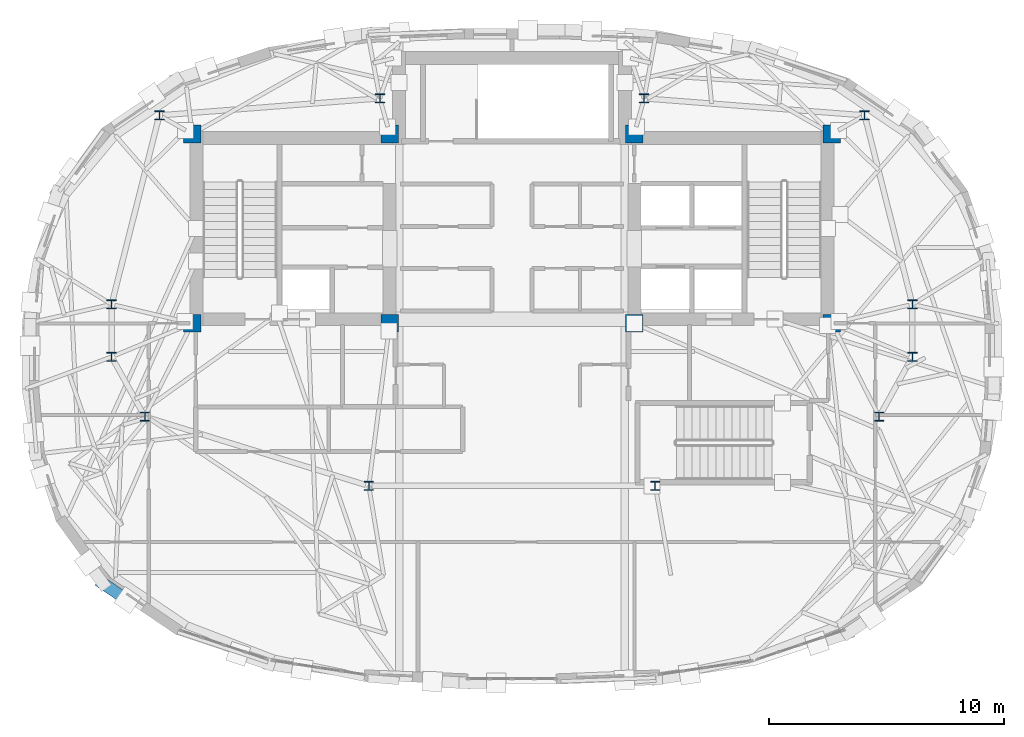
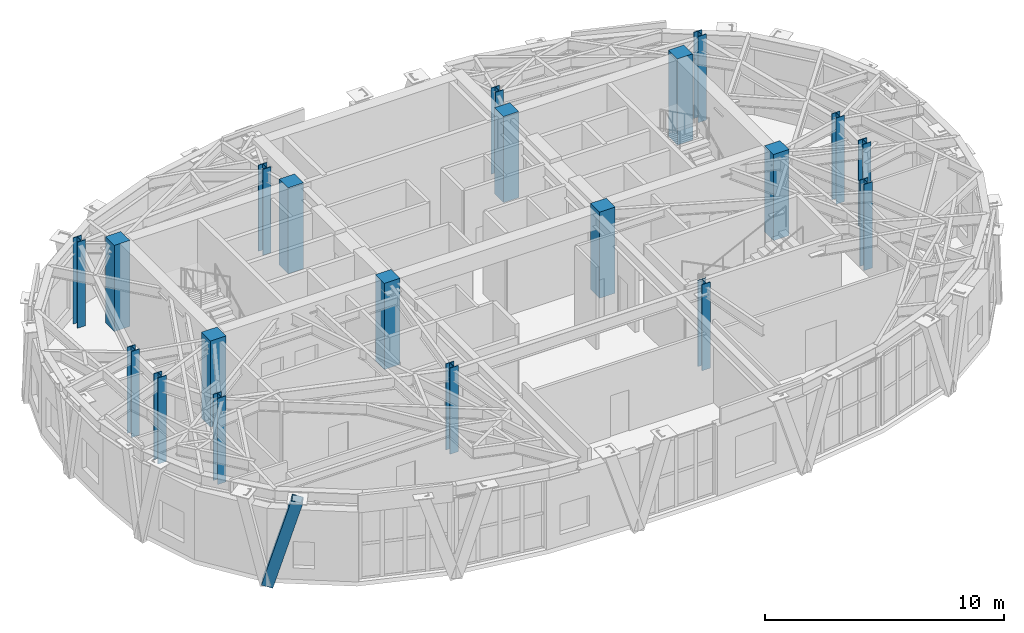
# One storey, part 1 of 16: 20 columns, 1 member.
"""IFC4 building model written with IfcOpenShell, lengths in metres."""

from ifc_helpers import new_model, si_unit, direction, frame, origin, origin_2d, place, context, subcontext, project, spatial, rectangle, hollow_rectangle, i_section, extrude, material, material_profile, profile_set, type_object, element, save


model = new_model("IFC4")

# Units and contexts
model_context = context("Model", 3, precision=1e-05, world=origin(), true_north=direction((0.0, 1.0)))
body_context = subcontext(model_context, "Body", "Model", "MODEL_VIEW")
ifc_project = project(units=[si_unit("LENGTHUNIT", "METRE"), si_unit("AREAUNIT", "SQUARE_METRE"), si_unit("VOLUMEUNIT", "CUBIC_METRE"), si_unit("PLANEANGLEUNIT", "RADIAN"), si_unit("MASSUNIT", "GRAM", prefix="KILO")], contexts=[model_context])

# Site, building, storey
site_placement = place(None, origin())
site = spatial("IfcSite", under=ifc_project, at=site_placement, CompositionType="ELEMENT")
building_placement = place(site_placement, origin())
building = spatial("IfcBuilding", under=site, at=building_placement, Name="Keldmark Tower", CompositionType="ELEMENT")
storey_placement = place(building_placement, frame((0.0, 0.0, 264.800048828125)))
storey = spatial("IfcBuildingStorey", under=building, at=storey_placement, Name="L75", CompositionType="ELEMENT", Elevation=264.800048828125)

# Columns
ifc_material_1 = material(Name="Concrete C50/60", Category="concrete")
ifc_material_profile_1 = material_profile(ifc_material_1, rectangle(XDim=0.75, YDim=0.75, at=origin_2d()), Name="RC750X750")
ifc_profile_set_1 = profile_set([ifc_material_profile_1], Name="Concrete C50/60")
column_type_1 = type_object("IfcColumnType", Name="Core Boundary Column RC750", PredefinedType="PILASTER", material=ifc_profile_set_1)
for number, where, z_axis, x_axis, name in (
    (1, (-13.60009765625, 1.39990234375, 0.0), (0.0, 0.0, 1.0), (1.0, 0.0, 0.0), "L75 Core Boundary Column CC-W1"),
    (2, (-13.60009765625, 9.449951171875, 0.0), (0.0, 0.0, 1.0), (1.0, 0.0, 0.0), "L75 Core Boundary Column CC-W2"),
    (3, (-5.199951171875, 1.39990234375, 0.0), (0.0, 0.0, 1.0), (1.0, 0.0, 0.0), "L75 Core Boundary Column CC-W3"),
    (4, (-5.199951171875, 9.449951171875, 0.0), (0.0, 0.0, 1.0), (1.0, 0.0, 0.0), "L75 Core Boundary Column CC-W4"),
    (5, (5.199951171875, 1.39990234375, 0.0), (0.0, 0.0, 1.0), (1.0, 0.0, 0.0), "L75 Core Boundary Column CC-E1"),
    (6, (5.199951171875, 9.449951171875, 0.0), (0.0, 0.0, 1.0), (1.0, 0.0, 0.0), "L75 Core Boundary Column CC-E2"),
    (7, (13.60009765625, 1.39990234375, 0.0), (0.0, 0.0, 1.0), (1.0, 0.0, 0.0), "L75 Core Boundary Column CC-E3"),
    (8, (13.60009765625, 9.449951171875, 0.0), (0.0, 0.0, 1.0), (1.0, 0.0, 0.0), "L75 Core Boundary Column CC-E4"),
):
    element("IfcColumn", number, at=place(storey_placement, frame(where, z_axis=z_axis, x_axis=x_axis)), inside=storey, type_object=column_type_1, Name=name, PredefinedType="PILASTER", context=body_context, shape_type="SweptSolid", body=[
        extrude(rectangle(XDim=0.75, YDim=0.75, at=origin_2d()), origin(), (0.0, 0.0, 1.0), 4.39990234375),
    ])
ifc_material_2 = material(Name="Steel ASTM A992 Grade 50", Category="steel")
ifc_material_profile_2 = material_profile(ifc_material_2, i_section(OverallWidth=0.39892578125, OverallDepth=0.386962890625, WebThickness=0.02099609375, FlangeThickness=0.033203125, at=origin_2d()), Name="W14X176")
ifc_profile_set_2 = profile_set([ifc_material_profile_2], Name="Steel ASTM A992 Grade 50")
column_type_2 = type_object("IfcColumnType", Name="Tower Gravity Column W14X176", PredefinedType="COLUMN", material=ifc_profile_set_2)
for number, where, z_axis, x_axis, name in (
    (9, (17.025634765625, 2.2080078125, 0.0), (0.0, 0.0, 1.0), (1.0, 0.0, 0.0), "L75 Tower Gravity Column TC-E1"),
    (10, (14.995849609375, 10.24365234375, 0.0), (0.0, 0.0, 1.0), (1.0, 0.0, 0.0), "L75 Tower Gravity Column TC-E4"),
    (11, (5.61865234375, 10.967041015625, 0.0), (0.0, 0.0, 1.0), (1.0, 0.0, 0.0), "L75 Tower Gravity Column TC-N2"),
    (12, (-5.61865234375, 10.967041015625, 0.0), (0.0, 0.0, 1.0), (1.0, 0.0, 0.0), "L75 Tower Gravity Column TC-N1"),
    (13, (-14.995849609375, 10.24365234375, 0.0), (0.0, 0.0, 1.0), (1.0, 0.0, 0.0), "L75 Tower Gravity Column TC-W4"),
    (14, (-17.025634765625, 2.2080078125, 0.0), (0.0, 0.0, 1.0), (1.0, 0.0, 0.0), "L75 Tower Gravity Column TC-W1"),
    (15, (-17.025634765625, -0.02392578125, 0.0), (0.0, 0.0, 1.0), (1.0, 0.0, 0.0), "L75 Tower Gravity Column TC-W5"),
    (16, (-15.6162109375, -2.5673828125, 0.0), (0.0, 0.0, 1.0), (1.0, 0.0, 0.0), "L75 Tower Gravity Column TC-W2"),
    (17, (-6.089599609375, -5.512939453125, 0.0), (0.0, 0.0, 1.0), (1.0, 0.0, 0.0), "L75 Tower Gravity Column TC-W3"),
    (18, (6.089599609375, -5.512939453125, 0.0), (0.0, 0.0, 1.0), (1.0, 0.0, 0.0), "L75 Tower Gravity Column TC-E3"),
    (19, (15.6162109375, -2.5673828125, 0.0), (0.0, 0.0, 1.0), (1.0, 0.0, 0.0), "L75 Tower Gravity Column TC-E2"),
    (20, (17.025634765625, -0.02392578125, 0.0), (0.0, 0.0, 1.0), (1.0, 0.0, 0.0), "L75 Tower Gravity Column TC-E5"),
):
    element("IfcColumn", number, at=place(storey_placement, frame(where, z_axis=z_axis, x_axis=x_axis)), inside=storey, type_object=column_type_2, Name=name, PredefinedType="COLUMN", context=body_context, shape_type="SweptSolid", body=[
        extrude(i_section(OverallWidth=0.39892578125, OverallDepth=0.386962890625, WebThickness=0.02099609375, FlangeThickness=0.033203125, at=origin_2d()), origin(), (0.0, 0.0, 1.0), 4.39990234375),
    ])

# Member
ifc_material_3 = material(Name="Steel ASTM A572 Grade 50", Category="steel")
ifc_material_profile_3 = material_profile(ifc_material_3, hollow_rectangle(XDim=0.5, YDim=0.5, WallThickness=0.030029296875, at=origin_2d()), Name="BOX500X500X30")
ifc_profile_set_3 = profile_set([ifc_material_profile_3], Name="Steel ASTM A572 Grade 50")
member_type = type_object("IfcMemberType", Name="Diagrid Upper Brace BOX500X500X30", PredefinedType="BRACE", material=ifc_profile_set_3)
member_placement = place(storey_placement, frame((-17.39208984375, -9.6640625, -0.300048828125), z_axis=(0.228696837944, -0.155035991803, 0.961073148912), x_axis=(0.561126782944, 0.827729867446, 0.0)))
element("IfcMember", 21, at=member_placement, inside=storey, type_object=member_type, Name="L75 Perimeter Diagrid Brace 10B", PredefinedType="BRACE", context=body_context, shape_type="SweptSolid", body=[
    extrude(hollow_rectangle(XDim=0.5, YDim=0.5, WallThickness=0.030029296875, at=origin_2d()), origin(), (0.0, 0.0, 1.0), 4.557373046875),
])

save(model, "model.ifc")
